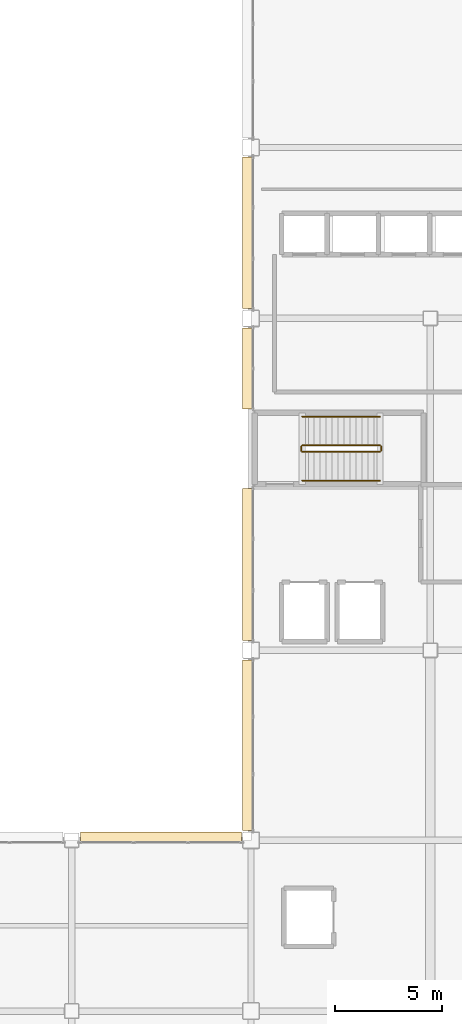
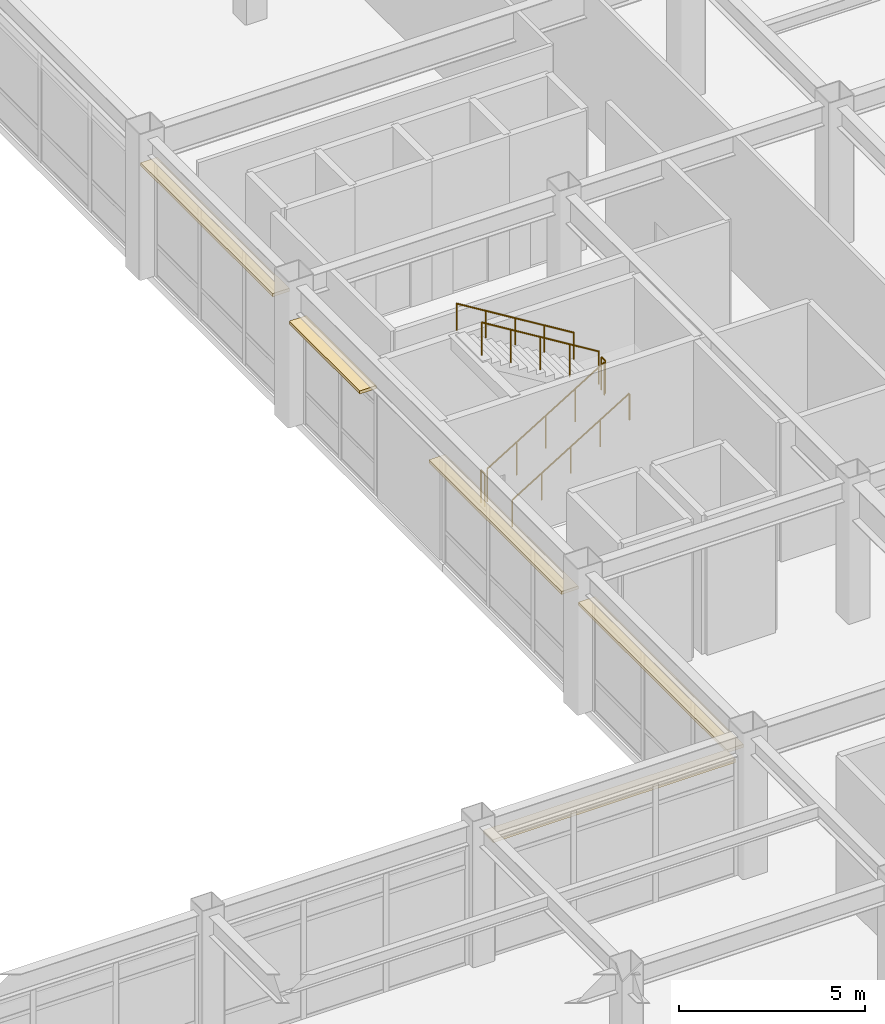
# One storey, part 151 of 154: 6 railings, 5 coverings.
"""IFC4 building model written with IfcOpenShell, lengths in metres."""

from ifc_helpers import new_model, si_unit, direction, frame, origin, origin_2d, place, context, subcontext, project, spatial, rectangle, circle, extrude, material, layer, layer_set, type_object, element, save


model = new_model("IFC4")

# Units and contexts
model_context = context("Model", 3, precision=1e-05, world=origin(), true_north=direction((0.0, 1.0)))
body_context = subcontext(model_context, "Body", "Model", "MODEL_VIEW")
ifc_project = project(units=[si_unit("LENGTHUNIT", "METRE"), si_unit("AREAUNIT", "SQUARE_METRE"), si_unit("VOLUMEUNIT", "CUBIC_METRE"), si_unit("PLANEANGLEUNIT", "RADIAN"), si_unit("MASSUNIT", "GRAM", prefix="KILO")], contexts=[model_context])

# Site, building, storey
site_placement = place(None, origin())
site = spatial("IfcSite", under=ifc_project, at=site_placement, CompositionType="ELEMENT")
building_placement = place(site_placement, origin())
building = spatial("IfcBuilding", under=site, at=building_placement, Name="Kazehara Bluff Congress Hotel", CompositionType="ELEMENT")
storey_placement = place(building_placement, frame((0.0, 0.0, 10.199951171875)))
storey = spatial("IfcBuildingStorey", under=building, at=storey_placement, Name="L02", CompositionType="ELEMENT", Elevation=10.199951171875)

# Coverings
ifc_material_1 = material(Name="Anodised aluminium architectural brise-soleil", Category="aluminium")
ifc_layer = layer(ifc_material_1, 0.10009765625)
ifc_layer_set = layer_set([ifc_layer], Name="Anodised aluminium architectural brise-soleil")
covering_type = type_object("IfcCoveringType", Name="TP-FAC-FIN", PredefinedType="CLADDING", material=ifc_layer_set)
covering_1_placement = place(storey_placement, frame((143.56005859375, 36.449951171875, 3.6650390625), z_axis=(0.0, 0.0, 1.0), x_axis=(1.0, 0.0, 0.0)))
element("IfcCovering", 1, at=covering_1_placement, inside=storey, type_object=covering_type, Name="L02 V5 architectural sun-hood 118", PredefinedType="CLADDING", context=body_context, shape_type="SweptSolid", body=[
    extrude(rectangle(XDim=0.52001953125, YDim=8.0, at=origin_2d()), origin(), (0.0, 0.0, 1.0), 0.10009765625),
])
covering_2_placement = place(storey_placement, frame((143.56005859375, 44.919921875, 3.465087890625), z_axis=(0.0, 0.0, 1.0), x_axis=(1.0, 0.0, 0.0)))
element("IfcCovering", 2, at=covering_2_placement, inside=storey, type_object=covering_type, Name="L02 V5 architectural sun-hood 119", PredefinedType="CLADDING", context=body_context, shape_type="SweptSolid", body=[
    extrude(rectangle(XDim=0.52001953125, YDim=7.139892578125, at=origin_2d()), origin(), (0.0, 0.0, 1.0), 0.10009765625),
])
covering_3_placement = place(storey_placement, frame((143.56005859375, 54.10498046875, 3.465087890625), z_axis=(0.0, 0.0, 1.0), x_axis=(1.0, 0.0, 0.0)))
element("IfcCovering", 3, at=covering_3_placement, inside=storey, type_object=covering_type, Name="L02 V5 architectural sun-hood 120", PredefinedType="CLADDING", context=body_context, shape_type="SweptSolid", body=[
    extrude(rectangle(XDim=0.52001953125, YDim=3.7900390625, at=origin_2d()), origin(), (0.0, 0.0, 1.0), 0.10009765625),
])
covering_4_placement = place(storey_placement, frame((143.56005859375, 60.449951171875, 3.81494140625), z_axis=(0.0, 0.0, 1.0), x_axis=(1.0, 0.0, 0.0)))
element("IfcCovering", 4, at=covering_4_placement, inside=storey, type_object=covering_type, Name="L02 V5 architectural sun-hood 121", PredefinedType="CLADDING", context=body_context, shape_type="SweptSolid", body=[
    extrude(rectangle(XDim=0.52001953125, YDim=7.10009765625, at=origin_2d()), origin(), (0.0, 0.0, 1.0), 0.10009765625),
])
covering_5_placement = place(storey_placement, frame((139.47509765625, 32.139892578125, 3.715087890625), z_axis=(0.0, 0.0, 1.0), x_axis=(1.0, 0.0, 0.0)))
element("IfcCovering", 5, at=covering_5_placement, inside=storey, type_object=covering_type, Name="L02 V5 architectural sun-hood 131", PredefinedType="CLADDING", context=body_context, shape_type="SweptSolid", body=[
    extrude(rectangle(XDim=7.550048828125, YDim=0.52001953125, at=origin_2d()), origin(), (0.0, 0.0, 1.0), 0.10009765625),
])

# Railings
ifc_material_2 = material(Name="Brushed stainless steel", Category="steel")
railing_type_1 = type_object("IfcRailingType", Name="TP-GRD-INT", PredefinedType="GUARDRAIL", material=ifc_material_2)
railing_1_placement = place(storey_placement, frame((146.10009765625, 50.199951171875, 0.17138671875)))
element("IfcRailing", 6, at=railing_1_placement, inside=storey, type_object=railing_type_1, Name="L02 ST-11 stair guard 1", PredefinedType="GUARDRAIL", context=body_context, shape_type="SweptSolid", body=[
    extrude(circle(Radius=0.02392578125, at=origin_2d()), frame((0.0, 0.0, 1.076171875), z_axis=(0.852824790078, 0.0, 0.522197163366), x_axis=(0.0, 1.0, 0.0)), (0.0, 0.0, 1.0), 4.26806640625),
    extrude(circle(Radius=0.02099609375, at=origin_2d()), origin(), (0.0, 0.0, 1.0), 1.052001953125),
    extrude(circle(Radius=0.02099609375, at=origin_2d()), frame((0.909912109375, 0.0, 0.55712890625)), (0.0, 0.0, 1.0), 1.052001953125),
    extrude(circle(Radius=0.02099609375, at=origin_2d()), frame((1.81982421875, 0.0, 1.1142578125)), (0.0, 0.0, 1.0), 1.052001953125),
    extrude(circle(Radius=0.02099609375, at=origin_2d()), frame((2.72998046875, 0.0, 1.671630859375)), (0.0, 0.0, 1.0), 1.052001953125),
    extrude(circle(Radius=0.02099609375, at=origin_2d()), frame((3.639892578125, 0.0, 2.228759765625)), (0.0, 0.0, 1.0), 1.052001953125),
])
railing_2_placement = place(storey_placement, frame((149.7900390625, 50.25, 2.400146484375)))
element("IfcRailing", 7, at=railing_2_placement, inside=storey, type_object=railing_type_1, Name="L02 ST-11 stair guard 2", PredefinedType="GUARDRAIL", context=body_context, shape_type="SweptSolid", body=[
    extrude(circle(Radius=0.02392578125, at=origin_2d()), frame((0.0, 0.0, 1.076171875), z_axis=(0.0, 1.0, 0.0), x_axis=(-1.0, 0.0, 0.0)), (0.0, 0.0, 1.0), 0.199951171875),
    extrude(circle(Radius=0.02099609375, at=origin_2d()), origin(), (0.0, 0.0, 1.0), 1.052001953125),
    extrude(circle(Radius=0.02099609375, at=origin_2d()), frame((0.0, 0.199951171875, 0.0)), (0.0, 0.0, 1.0), 1.052001953125),
])
railing_3_placement = place(storey_placement, frame((149.739990234375, 50.5, 2.571533203125)))
element("IfcRailing", 8, at=railing_3_placement, inside=storey, type_object=railing_type_1, Name="L02 ST-11 stair guard 3", PredefinedType="GUARDRAIL", context=body_context, shape_type="SweptSolid", body=[
    extrude(circle(Radius=0.02392578125, at=origin_2d()), frame((0.0, 0.0, 1.076171875), z_axis=(-0.852850264322, 0.0, 0.5221555579), x_axis=(0.0, -1.0, 0.0)), (0.0, 0.0, 1.0), 4.267822265625),
    extrude(circle(Radius=0.02099609375, at=origin_2d()), origin(), (0.0, 0.0, 1.0), 1.052001953125),
    extrude(circle(Radius=0.02099609375, at=origin_2d()), frame((-0.909912109375, 0.0, 0.55712890625)), (0.0, 0.0, 1.0), 1.052001953125),
    extrude(circle(Radius=0.02099609375, at=origin_2d()), frame((-1.81982421875, 0.0, 1.1142578125)), (0.0, 0.0, 1.0), 1.052001953125),
    extrude(circle(Radius=0.02099609375, at=origin_2d()), frame((-2.72998046875, 0.0, 1.67138671875)), (0.0, 0.0, 1.0), 1.052001953125),
    extrude(circle(Radius=0.02099609375, at=origin_2d()), frame((-3.639892578125, 0.0, 2.228515625)), (0.0, 0.0, 1.0), 1.052001953125),
])
railing_4_placement = place(storey_placement, frame((146.050048828125, 50.25, 0.0)))
element("IfcRailing", 9, at=railing_4_placement, inside=storey, type_object=railing_type_1, Name="L02 ST-11 stair guard 4", PredefinedType="GUARDRAIL", context=body_context, shape_type="SweptSolid", body=[
    extrude(circle(Radius=0.02392578125, at=origin_2d()), frame((0.0, 0.0, 1.076171875), z_axis=(0.0, 1.0, 0.0), x_axis=(-1.0, 0.0, 0.0)), (0.0, 0.0, 1.0), 0.199951171875),
    extrude(circle(Radius=0.02099609375, at=origin_2d()), origin(), (0.0, 0.0, 1.0), 1.052001953125),
    extrude(circle(Radius=0.02099609375, at=origin_2d()), frame((0.0, 0.199951171875, 0.0)), (0.0, 0.0, 1.0), 1.052001953125),
])
ifc_material_3 = material(Name="Brushed stainless steel", Category="steel")
railing_type_2 = type_object("IfcRailingType", Name="TP-HR-INT", PredefinedType="HANDRAIL", material=ifc_material_3)
railing_5_placement = place(storey_placement, frame((146.10009765625, 48.85009765625, 0.17138671875)))
element("IfcRailing", 10, at=railing_5_placement, inside=storey, type_object=railing_type_2, Name="L02 ST-11 stair handrail 1", PredefinedType="HANDRAIL", context=body_context, shape_type="SweptSolid", body=[
    extrude(circle(Radius=0.02392578125, at=origin_2d()), frame((0.0, 0.0, 0.8759765625), z_axis=(0.852824790078, 0.0, 0.522197163366), x_axis=(0.0, 1.0, 0.0)), (0.0, 0.0, 1.0), 4.26806640625),
    extrude(circle(Radius=0.02099609375, at=origin_2d()), origin(), (0.0, 0.0, 1.0), 0.851806640625),
    extrude(circle(Radius=0.02099609375, at=origin_2d()), frame((0.909912109375, 0.0, 0.55712890625)), (0.0, 0.0, 1.0), 0.851806640625),
    extrude(circle(Radius=0.02099609375, at=origin_2d()), frame((1.81982421875, 0.0, 1.1142578125)), (0.0, 0.0, 1.0), 0.851806640625),
    extrude(circle(Radius=0.02099609375, at=origin_2d()), frame((2.72998046875, 0.0, 1.671630859375)), (0.0, 0.0, 1.0), 0.851806640625),
    extrude(circle(Radius=0.02099609375, at=origin_2d()), frame((3.639892578125, 0.0, 2.228759765625)), (0.0, 0.0, 1.0), 0.851806640625),
])
railing_6_placement = place(storey_placement, frame((149.739990234375, 51.85009765625, 2.571533203125)))
element("IfcRailing", 11, at=railing_6_placement, inside=storey, type_object=railing_type_2, Name="L02 ST-11 stair handrail 2", PredefinedType="HANDRAIL", context=body_context, shape_type="SweptSolid", body=[
    extrude(circle(Radius=0.02392578125, at=origin_2d()), frame((0.0, 0.0, 0.8759765625), z_axis=(-0.852850264322, 0.0, 0.5221555579), x_axis=(0.0, -1.0, 0.0)), (0.0, 0.0, 1.0), 4.267822265625),
    extrude(circle(Radius=0.02099609375, at=origin_2d()), origin(), (0.0, 0.0, 1.0), 0.851806640625),
    extrude(circle(Radius=0.02099609375, at=origin_2d()), frame((-0.909912109375, 0.0, 0.55712890625)), (0.0, 0.0, 1.0), 0.851806640625),
    extrude(circle(Radius=0.02099609375, at=origin_2d()), frame((-1.81982421875, 0.0, 1.1142578125)), (0.0, 0.0, 1.0), 0.851806640625),
    extrude(circle(Radius=0.02099609375, at=origin_2d()), frame((-2.72998046875, 0.0, 1.67138671875)), (0.0, 0.0, 1.0), 0.851806640625),
    extrude(circle(Radius=0.02099609375, at=origin_2d()), frame((-3.639892578125, 0.0, 2.228515625)), (0.0, 0.0, 1.0), 0.851806640625),
])

save(model, "model.ifc")
